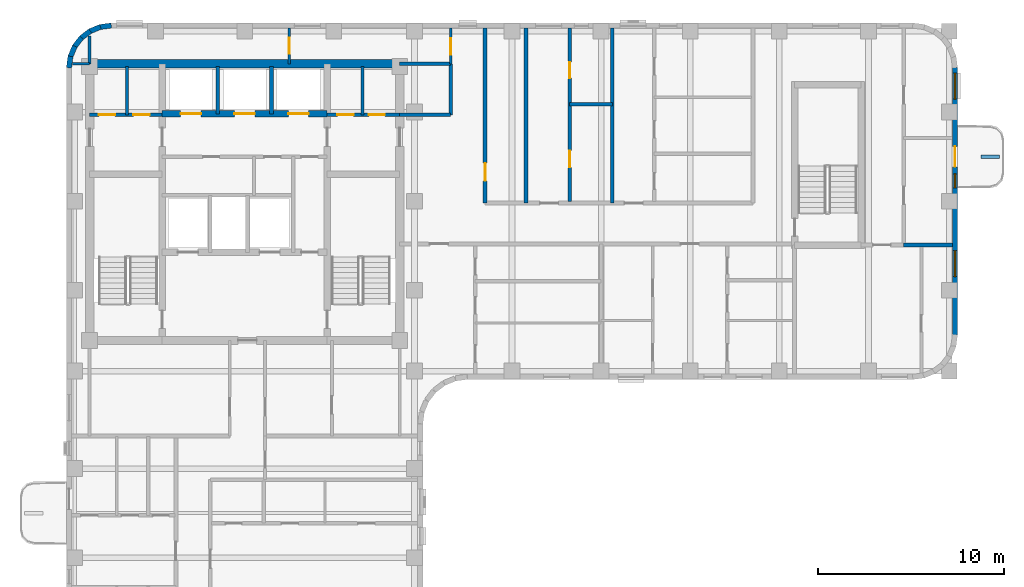
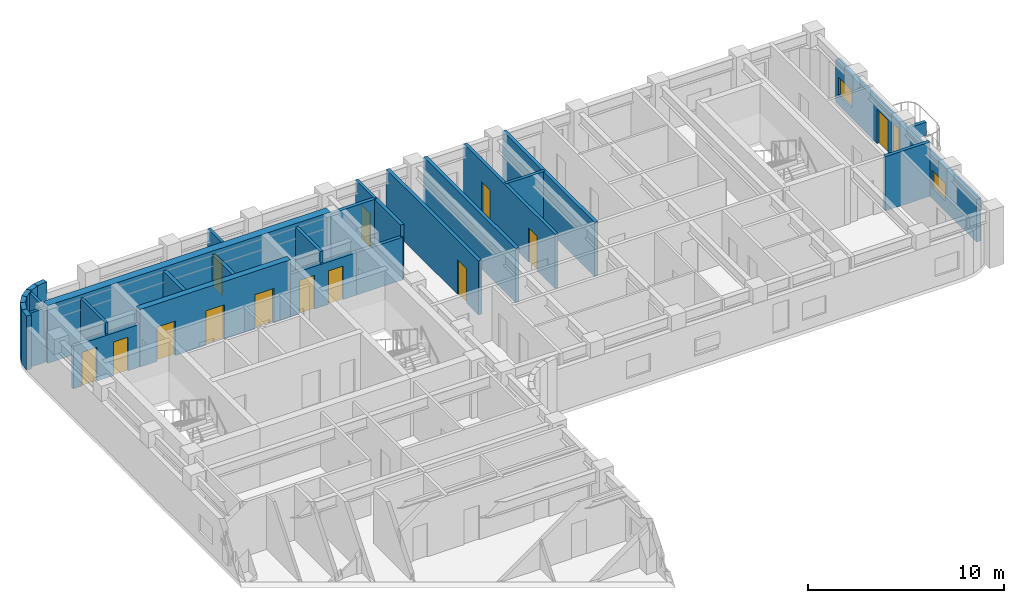
# One storey, part 6 of 10: 29 walls, 13 doors, 3 windows, 16 openings.
"""IFC4 building model written with IfcOpenShell, lengths in metres."""

from ifc_helpers import new_model, si_unit, direction, frame, frame_2d, origin, place, context, subcontext, project, spatial, rectangle, extrude, material, layer, layer_set, type_object, element, fill, save


model = new_model("IFC4")

# Units and contexts
model_context = context("Model", 3, precision=1e-05, world=origin(), true_north=direction((0.0, 1.0)))
body_context = subcontext(model_context, "Body", "Model", "MODEL_VIEW")
ifc_project = project(units=[si_unit("LENGTHUNIT", "METRE"), si_unit("AREAUNIT", "SQUARE_METRE"), si_unit("VOLUMEUNIT", "CUBIC_METRE"), si_unit("PLANEANGLEUNIT", "RADIAN"), si_unit("MASSUNIT", "GRAM", prefix="KILO")], contexts=[model_context])

# Site, building, storey
site_placement = place(None, origin())
site = spatial("IfcSite", under=ifc_project, at=site_placement, CompositionType="ELEMENT")
building_placement = place(site_placement, origin())
building = spatial("IfcBuilding", under=site, at=building_placement, Name="Orvandelia Arch Residences", CompositionType="ELEMENT")
storey_placement = place(building_placement, frame((0.0, 0.0, 218.199951171875)))
storey = spatial("IfcBuildingStorey", under=building, at=storey_placement, Name="L57", CompositionType="ELEMENT", Elevation=218.199951171875)

# Wall, openings, doors
ifc_material_1 = material(Name="Concrete C50/60", Category="concrete")
ifc_layer_1 = layer(ifc_material_1, 0.35009765625, Name="Concrete C50/60", Category="concrete")
ifc_layer_set_1 = layer_set([ifc_layer_1], Name="Concrete C50/60")
wall_type_1 = type_object("IfcWallType", Name="WL-CORE-350", PredefinedType="SHEAR", material=ifc_layer_set_1)
wall_1_placement = place(storey_placement, frame((9.9599609375, 43.10009765625, 0.0), z_axis=(0.0, 0.0, 1.0), x_axis=(1.0, 0.0, 0.0)))
wall_1 = element("IfcWall", 1, at=wall_1_placement, inside=storey, type_object=wall_type_1, Name="Core Shear Wall L57-HZ4", PredefinedType="SHEAR", context=body_context, shape_type="SweptSolid", body=[
    extrude(rectangle(XDim=8.880126953125, YDim=0.35009765625, at=frame_2d((4.43994140625, 0.0))), origin(), (0.0, 0.0, 1.0), 3.60009765625),
])
opening_1_placement = place(wall_1_placement, frame((0.989990234375, 0.0, 0.0)))
opening_1 = element("IfcOpeningElement", 2, at=opening_1_placement, cuts=wall_1, Name="Opening LD", PredefinedType="OPENING", context=body_context, shape_type="SweptSolid", body=[
    extrude(rectangle(XDim=1.10009765625, YDim=2.14990234375, at=frame_2d((0.550048828125, 1.074951171875))), frame((0.0, 0.18505859375, 0.0), z_axis=(0.0, -1.0, 0.0), x_axis=(1.0, 0.0, 0.0)), (0.0, 0.0, 1.0), 0.3701171875),
])
opening_2_placement = place(wall_1_placement, frame((3.889892578125, 0.0, 0.0)))
opening_2 = element("IfcOpeningElement", 3, at=opening_2_placement, cuts=wall_1, Name="Opening LD", PredefinedType="OPENING", context=body_context, shape_type="SweptSolid", body=[
    extrude(rectangle(XDim=1.10009765625, YDim=2.14990234375, at=frame_2d((0.550048828125, 1.074951171875))), frame((0.0, 0.18505859375, 0.0), z_axis=(0.0, -1.0, 0.0), x_axis=(1.0, 0.0, 0.0)), (0.0, 0.0, 1.0), 0.3701171875),
])
opening_3_placement = place(wall_1_placement, frame((6.7900390625, 0.0, 0.0)))
opening_3 = element("IfcOpeningElement", 4, at=opening_3_placement, cuts=wall_1, Name="Opening LD", PredefinedType="OPENING", context=body_context, shape_type="SweptSolid", body=[
    extrude(rectangle(XDim=1.10009765625, YDim=2.14990234375, at=frame_2d((0.550048828125, 1.074951171875))), frame((0.0, 0.18505859375, 0.0), z_axis=(0.0, -1.0, 0.0), x_axis=(1.0, 0.0, 0.0)), (0.0, 0.0, 1.0), 0.3701171875),
])
ifc_material_2 = material(Name="Brushed Stainless Steel Sliding Lift Door", Category="steel")
door_type_1 = type_object("IfcDoorType", Name="DR-LIFT-1100", OperationType="NOTDEFINED", PredefinedType="DOOR", material=ifc_material_2)
door_1_placement = place(opening_1_placement, origin())
door_1 = element("IfcDoor", 5, at=door_1_placement, inside=storey, type_object=door_type_1, Name="Lift Landing Door LD-PH1-L57", OperationType="SLIDING_TO_LEFT", OverallHeight=2.14990234375, OverallWidth=1.10009765625, PredefinedType="DOOR", context=body_context, shape_type="SweptSolid", body=[
    extrude(rectangle(XDim=1.10009765625, YDim=2.14990234375, at=frame_2d((0.550048828125, 1.074951171875))), frame((0.0, 0.02490234375, 0.0), z_axis=(0.0, -1.0, 0.0), x_axis=(1.0, 0.0, 0.0)), (0.0, 0.0, 1.0), 0.050048828125),
])
fill(opening_1, door_1)
door_2_placement = place(opening_2_placement, origin())
door_2 = element("IfcDoor", 6, at=door_2_placement, inside=storey, type_object=door_type_1, Name="Lift Landing Door LD-PH2-L57", OperationType="SLIDING_TO_RIGHT", OverallHeight=2.14990234375, OverallWidth=1.10009765625, PredefinedType="DOOR", context=body_context, shape_type="SweptSolid", body=[
    extrude(rectangle(XDim=1.10009765625, YDim=2.14990234375, at=frame_2d((0.550048828125, 1.074951171875))), frame((0.0, 0.02490234375, 0.0), z_axis=(0.0, -1.0, 0.0), x_axis=(1.0, 0.0, 0.0)), (0.0, 0.0, 1.0), 0.050048828125),
])
fill(opening_2, door_2)
door_3_placement = place(opening_3_placement, origin())
door_3 = element("IfcDoor", 7, at=door_3_placement, inside=storey, type_object=door_type_1, Name="Lift Landing Door LD-PH3-L57", OperationType="SLIDING_TO_LEFT", OverallHeight=2.14990234375, OverallWidth=1.10009765625, PredefinedType="DOOR", context=body_context, shape_type="SweptSolid", body=[
    extrude(rectangle(XDim=1.10009765625, YDim=2.14990234375, at=frame_2d((0.550048828125, 1.074951171875))), frame((0.0, 0.02490234375, 0.0), z_axis=(0.0, -1.0, 0.0), x_axis=(1.0, 0.0, 0.0)), (0.0, 0.0, 1.0), 0.050048828125),
])
fill(opening_3, door_3)

# Walls
ifc_layer_2 = layer(ifc_material_1, 0.449951171875, Name="Concrete C50/60", Category="concrete")
ifc_layer_set_2 = layer_set([ifc_layer_2], Name="Concrete C50/60")
wall_type_2 = type_object("IfcWallType", Name="WL-CORE-450", PredefinedType="SHEAR", material=ifc_layer_set_2)
wall_2_placement = place(storey_placement, frame((6.050048828125, 45.800048828125, 0.0), z_axis=(0.0, 0.0, 1.0), x_axis=(1.0, 0.0, 0.0)))
element("IfcWall", 8, at=wall_2_placement, inside=storey, type_object=wall_type_2, Name="Core Shear Wall L57-N", PredefinedType="SHEAR", context=body_context, shape_type="SweptSolid", body=[
    extrude(rectangle(XDim=16.699951171875, YDim=0.449951171875, at=frame_2d((8.35009765625, 0.0))), origin(), (0.0, 0.0, 1.0), 3.60009765625),
])
ifc_material_3 = material(Name="Fire-Rated Corridor Partition")
ifc_layer_3 = layer(ifc_material_3, 0.199951171875, Name="Fire-Rated Corridor Partition")
ifc_layer_set_3 = layer_set([ifc_layer_3], Name="Fire-Rated Corridor Partition")
wall_type_3 = type_object("IfcWallType", Name="WL-CORR-200", PredefinedType="PARTITIONING", material=ifc_layer_set_3)
wall_3_placement = place(storey_placement, frame((22.75, 45.800048828125, 0.0), z_axis=(0.0, 0.0, 1.0), x_axis=(1.0, 0.0, 0.0)))
element("IfcWall", 9, at=wall_3_placement, inside=storey, type_object=wall_type_3, Name="Interior Partition Wall WL-L57-NCE-S", PredefinedType="PARTITIONING", context=body_context, shape_type="SweptSolid", body=[
    extrude(rectangle(XDim=2.75, YDim=0.199951171875, at=frame_2d((1.375, 0.0))), origin(), (0.0, 0.0, 1.0), 3.380126953125),
])

# Wall, opening, door
wall_4_placement = place(storey_placement, frame((27.35009765625, 38.300048828125, 0.0), z_axis=(0.0, 0.0, 1.0), x_axis=(0.0, 1.0, 0.0)))
wall_4 = element("IfcWall", 10, at=wall_4_placement, inside=storey, type_object=wall_type_3, Name="Interior Partition Wall WL-L57-EM-NCE", PredefinedType="PARTITIONING", context=body_context, shape_type="SweptSolid", body=[
    extrude(rectangle(XDim=9.419921875, YDim=0.199951171875, at=frame_2d((4.7099609375, 0.0))), origin(), (0.0, 0.0, 1.0), 3.380126953125),
])
opening_4_placement = place(wall_4_placement, frame((1.199951171875, 0.0, 0.0)))
opening_4 = element("IfcOpeningElement", 11, at=opening_4_placement, cuts=wall_4, Name="Opening D2", PredefinedType="OPENING", context=body_context, shape_type="SweptSolid", body=[
    extrude(rectangle(XDim=0.949951171875, YDim=2.14990234375, at=frame_2d((0.47509765625, 1.074951171875))), frame((0.0, 0.10986328125, 0.0), z_axis=(0.0, -1.0, 0.0), x_axis=(1.0, 0.0, 0.0)), (0.0, 0.0, 1.0), 0.219970703125),
])
ifc_material_4 = material(Name="Solid-Core Timber Interior Fire Door", Category="wood")
door_type_2 = type_object("IfcDoorType", Name="DR-APT-950", OperationType="NOTDEFINED", PredefinedType="DOOR", material=ifc_material_4)
door_4_placement = place(opening_4_placement, origin())
door_4 = element("IfcDoor", 12, at=door_4_placement, inside=storey, type_object=door_type_2, Name="DR-L57-LDY", OperationType="SINGLE_SWING_RIGHT", OverallHeight=2.14990234375, OverallWidth=0.949951171875, PredefinedType="DOOR", context=body_context, shape_type="SweptSolid", body=[
    extrude(rectangle(XDim=0.949951171875, YDim=2.14990234375, at=frame_2d((0.47509765625, 1.074951171875))), frame((0.0, 0.02490234375, 0.0), z_axis=(0.0, -1.0, 0.0), x_axis=(1.0, 0.0, 0.0)), (0.0, 0.0, 1.0), 0.050048828125),
])
fill(opening_4, door_4)

# Walls
wall_5_placement = place(storey_placement, frame((22.75, 43.050048828125, 0.0), z_axis=(0.0, 0.0, 1.0), x_axis=(1.0, 0.0, 0.0)))
element("IfcWall", 13, at=wall_5_placement, inside=storey, type_object=wall_type_3, Name="Interior Partition Wall WL-L57-EM-LS", PredefinedType="PARTITIONING", context=body_context, shape_type="SweptSolid", body=[
    extrude(rectangle(XDim=2.75, YDim=0.199951171875, at=frame_2d((1.375, 0.0))), origin(), (0.0, 0.0, 1.0), 2.66015625),
])
wall_6_placement = place(storey_placement, frame((25.5, 43.050048828125, 0.0), z_axis=(0.0, 0.0, 1.0), x_axis=(0.0, 1.0, 0.0)))
element("IfcWall", 14, at=wall_6_placement, inside=storey, type_object=wall_type_3, Name="Interior Partition Wall WL-L57-EM-LW2", PredefinedType="PARTITIONING", context=body_context, shape_type="SweptSolid", body=[
    extrude(rectangle(XDim=2.75, YDim=0.199951171875, at=frame_2d((1.375, 0.0))), origin(), (0.0, 0.0, 1.0), 3.380126953125),
])
ifc_material_5 = material(Name="Concrete C40/50", Category="concrete")
ifc_layer_4 = layer(ifc_material_5, 0.199951171875, Name="Concrete C40/50", Category="concrete")
ifc_layer_set_4 = layer_set([ifc_layer_4], Name="Concrete C40/50")
wall_type_4 = type_object("IfcWallType", Name="WL-DEM-200", PredefinedType="SOLIDWALL", material=ifc_layer_set_4)
for number, where, z_axis, x_axis, name in (
    (15, (29.550048828125, 38.300048828125, 0.0), (0.0, 0.0, 1.0), (0.0, 1.0, 0.0), "Interior Partition Wall WL-L57-EM-LDE"),
    (16, (34.199951171875, 38.300048828125, 0.0), (0.0, 0.0, 1.0), (0.0, 1.0, 0.0), "Interior Partition Wall WL-L57-DEM-EMN-342"),
):
    element("IfcWall", number, at=place(storey_placement, frame(where, z_axis=z_axis, x_axis=x_axis)), inside=storey, type_object=wall_type_4, Name=name, PredefinedType="SOLIDWALL", context=body_context, shape_type="SweptSolid", body=[
        extrude(rectangle(XDim=9.419921875, YDim=0.199951171875, at=frame_2d((4.7099609375, 0.0))), origin(), (0.0, 0.0, 1.0), 3.380126953125),
    ])
wall_7_placement = place(storey_placement, frame((49.89990234375, 36.0400390625, 0.0), z_axis=(0.0, 0.0, 1.0), x_axis=(1.0, 0.0, 0.0)))
element("IfcWall", 17, at=wall_7_placement, inside=storey, type_object=wall_type_4, Name="Interior Partition Wall WL-L57-EMS3-N2", PredefinedType="SOLIDWALL", context=body_context, shape_type="SweptSolid", body=[
    extrude(rectangle(XDim=2.6201171875, YDim=0.199951171875, at=frame_2d((1.31005859375, 0.0))), origin(), (0.0, 0.0, 1.0), 3.380126953125),
])
ifc_material_6 = material(Name="Precast concrete C40/50", Category="concrete")
ifc_layer_5 = layer(ifc_material_6, 0.280029296875, Name="Precast concrete C40/50", Category="concrete")
ifc_layer_set_5 = layer_set([ifc_layer_5], Name="Precast concrete C40/50")
wall_type_5 = type_object("IfcWallType", Name="WL-EXT-STONE-280", PredefinedType="STANDARD", material=ifc_layer_set_5)
for number, where, z_axis, x_axis, name in (
    (18, (4.938720703125, 45.581787109375, 0.0), (0.0, 0.0, 1.0), (0.130555323746, 0.9914410257, 0.0), "Coral-Limestone Precast Facade Wall L57-001"),
    (19, (5.010986328125, 46.16748046875, 0.0), (0.0, 0.0, 1.0), (0.382650053678, 0.92389335771, 0.0), "Coral-Limestone Precast Facade Wall L57-002"),
    (20, (5.232666015625, 46.71484375, 0.0), (0.0, 0.0, 1.0), (0.608693302629, 0.793405610854, 0.0), "Coral-Limestone Precast Facade Wall L57-003"),
    (21, (5.588134765625, 47.18603515625, 0.0), (0.0, 0.0, 1.0), (0.793405610854, 0.608693302629, 0.0), "Coral-Limestone Precast Facade Wall L57-004"),
):
    element("IfcWall", number, at=place(storey_placement, frame(where, z_axis=z_axis, x_axis=x_axis)), inside=storey, type_object=wall_type_5, Name=name, PredefinedType="STANDARD", context=body_context, shape_type="SweptSolid", body=[
        extrude(rectangle(XDim=0.62646484375, YDim=0.280029296875, at=frame_2d((0.313232421875, 0.0))), origin(), (0.0, 0.0, 1.0), 3.380126953125),
    ])
wall_8_placement = place(storey_placement, frame((6.0537109375, 47.54931640625, 0.0), z_axis=(0.0, 0.0, 1.0), x_axis=(0.923974080304, 0.382455093999, 0.0)))
element("IfcWall", 22, at=wall_8_placement, inside=storey, type_object=wall_type_5, Name="Coral-Limestone Precast Facade Wall L57-005", PredefinedType="STANDARD", context=body_context, shape_type="SweptSolid", body=[
    extrude(rectangle(XDim=0.626220703125, YDim=0.280029296875, at=frame_2d((0.31298828125, 0.0))), origin(), (0.0, 0.0, 1.0), 3.380126953125),
])
wall_9_placement = place(storey_placement, frame((6.59716796875, 47.779296875, 0.0), z_axis=(0.0, 0.0, 1.0), x_axis=(0.9914410257, 0.130555323746, 0.0)))
element("IfcWall", 23, at=wall_9_placement, inside=storey, type_object=wall_type_5, Name="Coral-Limestone Precast Facade Wall L57-006", PredefinedType="STANDARD", context=body_context, shape_type="SweptSolid", body=[
    extrude(rectangle(XDim=0.62646484375, YDim=0.280029296875, at=frame_2d((0.313232421875, 0.0))), origin(), (0.0, 0.0, 1.0), 3.380126953125),
])

# Wall, openings, door, windows
wall_10_placement = place(storey_placement, frame((52.659912109375, 45.60009765625, 0.0), z_axis=(0.0, 0.0, 1.0), x_axis=(0.0, -1.0, 0.0)))
wall_10 = element("IfcWall", 24, at=wall_10_placement, inside=storey, type_object=wall_type_5, Name="Coral-Limestone Precast Facade Wall L57-014", PredefinedType="STANDARD", context=body_context, shape_type="SweptSolid", body=[
    extrude(rectangle(XDim=14.400146484375, YDim=0.280029296875, at=frame_2d((7.2001953125, 0.0))), origin(), (0.0, 0.0, 1.0), 2.66015625),
])
opening_5_placement = place(wall_10_placement, frame((4.25, 0.0, 0.0)))
opening_5 = element("IfcOpeningElement", 25, at=opening_5_placement, cuts=wall_10, Name="Opening BD1", PredefinedType="OPENING", context=body_context, shape_type="SweptSolid", body=[
    extrude(rectangle(XDim=1.10009765625, YDim=2.14990234375, at=frame_2d((0.550048828125, 1.074951171875))), frame((0.0, 0.14990234375, 0.0), z_axis=(0.0, -1.0, 0.0), x_axis=(1.0, 0.0, 0.0)), (0.0, 0.0, 1.0), 0.300048828125),
])
opening_6_placement = place(wall_10_placement, frame((9.862548828125, 0.0, 0.64990234375)))
opening_6 = element("IfcOpeningElement", 26, at=opening_6_placement, cuts=wall_10, Name="Opening W10", PredefinedType="OPENING", context=body_context, shape_type="SweptSolid", body=[
    extrude(rectangle(XDim=1.39990234375, YDim=1.10009765625, at=frame_2d((0.699951171875, 0.550048828125))), frame((0.0, 0.14990234375, 0.0), z_axis=(0.0, -1.0, 0.0), x_axis=(1.0, 0.0, 0.0)), (0.0, 0.0, 1.0), 0.300048828125),
])
opening_7_placement = place(wall_10_placement, frame((5.7275390625, 0.0, 0.449951171875)))
opening_7 = element("IfcOpeningElement", 27, at=opening_7_placement, cuts=wall_10, Name="Opening W11", PredefinedType="OPENING", context=body_context, shape_type="SweptSolid", body=[
    extrude(rectangle(XDim=0.75, YDim=1.800048828125, at=frame_2d((0.375, 0.89990234375))), frame((0.0, 0.14990234375, 0.0), z_axis=(0.0, -1.0, 0.0), x_axis=(1.0, 0.0, 0.0)), (0.0, 0.0, 1.0), 0.300048828125),
])
opening_8_placement = place(wall_10_placement, frame((0.3076171875, 0.0, 0.64990234375)))
opening_8 = element("IfcOpeningElement", 28, at=opening_8_placement, cuts=wall_10, Name="Opening W10", PredefinedType="OPENING", context=body_context, shape_type="SweptSolid", body=[
    extrude(rectangle(XDim=1.39990234375, YDim=1.10009765625, at=frame_2d((0.699951171875, 0.550048828125))), frame((0.0, 0.14990234375, 0.0), z_axis=(0.0, -1.0, 0.0), x_axis=(1.0, 0.0, 0.0)), (0.0, 0.0, 1.0), 0.300048828125),
])
ifc_material_7 = material(Name="Thermally Broken Aluminium Glazed Door", Category="aluminium")
door_type_3 = type_object("IfcDoorType", Name="DR-BAL-GLAZ-1100", OperationType="NOTDEFINED", PredefinedType="DOOR", material=ifc_material_7)
door_5_placement = place(opening_5_placement, origin())
door_5 = element("IfcDoor", 29, at=door_5_placement, inside=storey, type_object=door_type_3, Name="Tree Balcony Glazed Door BAL-L57-E1", OperationType="SINGLE_SWING_LEFT", OverallHeight=2.14990234375, OverallWidth=1.10009765625, PredefinedType="DOOR", context=body_context, shape_type="SweptSolid", body=[
    extrude(rectangle(XDim=1.10009765625, YDim=2.14990234375, at=frame_2d((0.550048828125, 1.074951171875))), frame((0.0, 0.02490234375, 0.0), z_axis=(0.0, -1.0, 0.0), x_axis=(1.0, 0.0, 0.0)), (0.0, 0.0, 1.0), 0.050048828125),
])
fill(opening_5, door_5)
ifc_material_8 = material(Name="Tempered Low-E Insulated Glazing", Category="glass")
window_type_1 = type_object("IfcWindowType", Name="WIN-BED-0750x1800", PartitioningType="SINGLE_PANEL", PredefinedType="WINDOW", material=ifc_material_8)
window_1_placement = place(opening_7_placement, origin())
window_1 = element("IfcWindow", 30, at=window_1_placement, inside=storey, type_object=window_type_1, Name="Recessed Punched Window L57-011", OverallHeight=1.800048828125, OverallWidth=0.75, PartitioningType="SINGLE_PANEL", PredefinedType="WINDOW", context=body_context, shape_type="SweptSolid", body=[
    extrude(rectangle(XDim=0.75, YDim=1.800048828125, at=frame_2d((0.375, 0.89990234375))), frame((0.0, 0.030029296875, 0.0), z_axis=(0.0, -1.0, 0.0), x_axis=(1.0, 0.0, 0.0)), (0.0, 0.0, 1.0), 0.06005859375),
])
fill(opening_7, window_1)
window_type_2 = type_object("IfcWindowType", Name="WIN-CLR-1400x1100", PartitioningType="SINGLE_PANEL", PredefinedType="WINDOW", material=ifc_material_8)
window_2_placement = place(opening_6_placement, origin())
window_2 = element("IfcWindow", 31, at=window_2_placement, inside=storey, type_object=window_type_2, Name="Recessed Punched Window L57-010", OverallHeight=1.10009765625, OverallWidth=1.39990234375, PartitioningType="SINGLE_PANEL", PredefinedType="WINDOW", context=body_context, shape_type="SweptSolid", body=[
    extrude(rectangle(XDim=1.39990234375, YDim=1.10009765625, at=frame_2d((0.699951171875, 0.550048828125))), frame((0.0, 0.030029296875, 0.0), z_axis=(0.0, -1.0, 0.0), x_axis=(1.0, 0.0, 0.0)), (0.0, 0.0, 1.0), 0.06005859375),
])
fill(opening_6, window_2)
window_3_placement = place(opening_8_placement, origin())
window_3 = element("IfcWindow", 32, at=window_3_placement, inside=storey, type_object=window_type_2, Name="Recessed Punched Window L57-012", OverallHeight=1.10009765625, OverallWidth=1.39990234375, PartitioningType="SINGLE_PANEL", PredefinedType="WINDOW", context=body_context, shape_type="SweptSolid", body=[
    extrude(rectangle(XDim=1.39990234375, YDim=1.10009765625, at=frame_2d((0.699951171875, 0.550048828125))), frame((0.0, 0.030029296875, 0.0), z_axis=(0.0, -1.0, 0.0), x_axis=(1.0, 0.0, 0.0)), (0.0, 0.0, 1.0), 0.06005859375),
])
fill(opening_8, window_3)

# Walls
ifc_material_9 = material(Name="Acoustic Gypsum Stud Partition")
ifc_layer_6 = layer(ifc_material_9, 0.14990234375, Name="Acoustic Gypsum Stud Partition")
ifc_layer_set_6 = layer_set([ifc_layer_6], Name="Acoustic Gypsum Stud Partition")
wall_type_6 = type_object("IfcWallType", Name="WL-PART-150", PredefinedType="PARTITIONING", material=ifc_layer_set_6)
wall_11_placement = place(storey_placement, frame((8.06005859375, 43.050048828125, 0.0), z_axis=(0.0, 0.0, 1.0), x_axis=(0.0, 1.0, 0.0)))
element("IfcWall", 33, at=wall_11_placement, inside=storey, type_object=wall_type_6, Name="Interior Partition Wall WL-L57-CRELC-M", PredefinedType="PARTITIONING", context=body_context, shape_type="SweptSolid", body=[
    extrude(rectangle(XDim=2.599853515625, YDim=0.14990234375, at=frame_2d((1.2998046875, 0.0))), origin(), (0.0, 0.0, 1.0), 3.380126953125),
])
wall_12_placement = place(storey_placement, frame((5.1201171875, 45.800048828125, 0.0), z_axis=(0.0, 0.0, 1.0), x_axis=(1.0, 0.0, 0.0)))
element("IfcWall", 34, at=wall_12_placement, inside=storey, type_object=wall_type_6, Name="Interior Partition Wall WL-L57-WF-N", PredefinedType="PARTITIONING", context=body_context, shape_type="SweptSolid", body=[
    extrude(rectangle(XDim=0.929931640625, YDim=0.14990234375, at=frame_2d((0.46484375, 0.0))), origin(), (0.0, 0.0, 1.0), 3.380126953125),
])

# Wall, opening, door
wall_13_placement = place(storey_placement, frame((25.5, 45.800048828125, 0.0), z_axis=(0.0, 0.0, 1.0), x_axis=(0.0, 1.0, 0.0)))
wall_13 = element("IfcWall", 35, at=wall_13_placement, inside=storey, type_object=wall_type_6, Name="Interior Partition Wall WL-L57-NCE-W", PredefinedType="PARTITIONING", context=body_context, shape_type="SweptSolid", body=[
    extrude(rectangle(XDim=1.919921875, YDim=0.14990234375, at=frame_2d((0.9599609375, 0.0))), origin(), (0.0, 0.0, 1.0), 3.380126953125),
])
opening_9_placement = place(wall_13_placement, frame((0.5, 0.0, 0.0)))
opening_9 = element("IfcOpeningElement", 36, at=opening_9_placement, cuts=wall_13, Name="Opening D5", PredefinedType="OPENING", context=body_context, shape_type="SweptSolid", body=[
    extrude(rectangle(XDim=0.8798828125, YDim=2.10009765625, at=frame_2d((0.43994140625, 1.050048828125))), frame((0.0, 0.0849609375, 0.0), z_axis=(0.0, -1.0, 0.0), x_axis=(1.0, 0.0, 0.0)), (0.0, 0.0, 1.0), 0.169921875),
])
ifc_material_10 = material(Name="Painted Galvanised Steel Service Door", Category="steel")
door_type_4 = type_object("IfcDoorType", Name="DR-SRV-880", OperationType="NOTDEFINED", PredefinedType="DOOR", material=ifc_material_10)
door_6_placement = place(opening_9_placement, origin())
door_6 = element("IfcDoor", 37, at=door_6_placement, inside=storey, type_object=door_type_4, Name="DR-L57-NCS2", OperationType="SINGLE_SWING_LEFT", OverallHeight=2.10009765625, OverallWidth=0.8798828125, PredefinedType="DOOR", context=body_context, shape_type="SweptSolid", body=[
    extrude(rectangle(XDim=0.8798828125, YDim=2.10009765625, at=frame_2d((0.43994140625, 1.050048828125))), frame((0.0, 0.02490234375, 0.0), z_axis=(0.0, -1.0, 0.0), x_axis=(1.0, 0.0, 0.0)), (0.0, 0.0, 1.0), 0.050048828125),
])
fill(opening_9, door_6)

# Wall
wall_14_placement = place(storey_placement, frame((6.050048828125, 45.800048828125, 0.0), z_axis=(0.0, 0.0, 1.0), x_axis=(0.0, 1.0, 0.0)))
element("IfcWall", 38, at=wall_14_placement, inside=storey, type_object=wall_type_6, Name="Interior Partition Wall WL-L57-NC-W6", PredefinedType="PARTITIONING", context=body_context, shape_type="SweptSolid", body=[
    extrude(rectangle(XDim=1.5, YDim=0.14990234375, at=frame_2d((0.75, 0.0))), origin(), (0.0, 0.0, 1.0), 3.380126953125),
])

# Wall, opening, door
wall_15_placement = place(storey_placement, frame((16.800048828125, 45.800048828125, 0.0), z_axis=(0.0, 0.0, 1.0), x_axis=(0.0, 1.0, 0.0)))
wall_15 = element("IfcWall", 39, at=wall_15_placement, inside=storey, type_object=wall_type_6, Name="Interior Partition Wall WL-L57-NC-M", PredefinedType="PARTITIONING", context=body_context, shape_type="SweptSolid", body=[
    extrude(rectangle(XDim=1.919921875, YDim=0.14990234375, at=frame_2d((0.9599609375, 0.0))), origin(), (0.0, 0.0, 1.0), 3.380126953125),
])
opening_10_placement = place(wall_15_placement, frame((0.550048828125, 0.0, 0.0)))
opening_10 = element("IfcOpeningElement", 40, at=opening_10_placement, cuts=wall_15, Name="Opening D4", PredefinedType="OPENING", context=body_context, shape_type="SweptSolid", body=[
    extrude(rectangle(XDim=0.860107421875, YDim=2.10009765625, at=frame_2d((0.43017578125, 1.050048828125))), frame((0.0, 0.0849609375, 0.0), z_axis=(0.0, -1.0, 0.0), x_axis=(1.0, 0.0, 0.0)), (0.0, 0.0, 1.0), 0.169921875),
])
ifc_material_11 = material(Name="Moisture-Sealed Timber Bathroom Door", Category="wood")
door_type_5 = type_object("IfcDoorType", Name="DR-WET-900", OperationType="NOTDEFINED", PredefinedType="DOOR", material=ifc_material_11)
door_7_placement = place(opening_10_placement, origin())
door_7 = element("IfcDoor", 41, at=door_7_placement, inside=storey, type_object=door_type_5, Name="DR-L57-NCS1", OperationType="SINGLE_SWING_LEFT", OverallHeight=2.10009765625, OverallWidth=0.860107421875, PredefinedType="DOOR", context=body_context, shape_type="SweptSolid", body=[
    extrude(rectangle(XDim=0.860107421875, YDim=2.10009765625, at=frame_2d((0.43017578125, 1.050048828125))), frame((0.0, 0.02490234375, 0.0), z_axis=(0.0, -1.0, 0.0), x_axis=(1.0, 0.0, 0.0)), (0.0, 0.0, 1.0), 0.050048828125),
])
fill(opening_10, door_7)

# Wall
ifc_layer_7 = layer(ifc_material_6, 0.199951171875, Name="Precast concrete C40/50", Category="concrete")
ifc_layer_set_7 = layer_set([ifc_layer_7], Name="Precast concrete C40/50")
wall_type_7 = type_object("IfcWallType", Name="WL-PLANTER-200", PredefinedType="MOVABLE", material=ifc_layer_set_7)
wall_16_placement = place(storey_placement, frame((54.050048828125, 40.800048828125, 0.0), z_axis=(0.0, 0.0, 1.0), x_axis=(1.0, 0.0, 0.0)))
element("IfcWall", 42, at=wall_16_placement, inside=storey, type_object=wall_type_7, Name="Balcony Precast Tree Planter BAL-L57-E1", PredefinedType="MOVABLE", context=body_context, shape_type="SweptSolid", body=[
    extrude(rectangle(XDim=1.0, YDim=0.199951171875, at=frame_2d((0.5, 0.0))), origin(), (0.0, 0.0, 1.0), 0.85009765625),
])

# Wall, openings, doors
ifc_material_12 = material(Name="Fire-Rated Shaft Enclosure Wall")
ifc_layer_8 = layer(ifc_material_12, 0.199951171875, Name="Fire-Rated Shaft Enclosure Wall")
ifc_layer_set_8 = layer_set([ifc_layer_8], Name="Fire-Rated Shaft Enclosure Wall")
wall_type_8 = type_object("IfcWallType", Name="WL-SHAFT-200", PredefinedType="POLYGONAL", material=ifc_layer_set_8)
wall_17_placement = place(storey_placement, frame((18.840087890625, 43.050048828125, 0.0), z_axis=(0.0, 0.0, 1.0), x_axis=(1.0, 0.0, 0.0)))
wall_17 = element("IfcWall", 43, at=wall_17_placement, inside=storey, type_object=wall_type_8, Name="Interior Partition Wall WL-L57-HLE-N", PredefinedType="POLYGONAL", context=body_context, shape_type="SweptSolid", body=[
    extrude(rectangle(XDim=3.909912109375, YDim=0.199951171875, at=frame_2d((1.955078125, 0.0))), origin(), (0.0, 0.0, 1.0), 2.66015625),
])
opening_11_placement = place(wall_17_placement, frame((0.550048828125, 0.0, 0.0)))
opening_11 = element("IfcOpeningElement", 44, at=opening_11_placement, cuts=wall_17, Name="Opening D5", PredefinedType="OPENING", context=body_context, shape_type="SweptSolid", body=[
    extrude(rectangle(XDim=0.8798828125, YDim=2.10009765625, at=frame_2d((0.43994140625, 1.050048828125))), frame((0.0, 0.10986328125, 0.0), z_axis=(0.0, -1.0, 0.0), x_axis=(1.0, 0.0, 0.0)), (0.0, 0.0, 1.0), 0.219970703125),
])
opening_12_placement = place(wall_17_placement, frame((2.25, 0.0, 0.0)))
opening_12 = element("IfcOpeningElement", 45, at=opening_12_placement, cuts=wall_17, Name="Opening D4", PredefinedType="OPENING", context=body_context, shape_type="SweptSolid", body=[
    extrude(rectangle(XDim=0.860107421875, YDim=2.10009765625, at=frame_2d((0.43017578125, 1.050048828125))), frame((0.0, 0.10986328125, 0.0), z_axis=(0.0, -1.0, 0.0), x_axis=(1.0, 0.0, 0.0)), (0.0, 0.0, 1.0), 0.219970703125),
])
door_8_placement = place(opening_11_placement, origin())
door_8 = element("IfcDoor", 46, at=door_8_placement, inside=storey, type_object=door_type_4, Name="DR-L57-CSB1", OperationType="SINGLE_SWING_LEFT", OverallHeight=2.10009765625, OverallWidth=0.8798828125, PredefinedType="DOOR", context=body_context, shape_type="SweptSolid", body=[
    extrude(rectangle(XDim=0.8798828125, YDim=2.10009765625, at=frame_2d((0.43994140625, 1.050048828125))), frame((0.0, 0.02490234375, 0.0), z_axis=(0.0, -1.0, 0.0), x_axis=(1.0, 0.0, 0.0)), (0.0, 0.0, 1.0), 0.050048828125),
])
fill(opening_11, door_8)
door_9_placement = place(opening_12_placement, origin())
door_9 = element("IfcDoor", 47, at=door_9_placement, inside=storey, type_object=door_type_5, Name="DR-L57-CSB2", OperationType="SINGLE_SWING_LEFT", OverallHeight=2.10009765625, OverallWidth=0.860107421875, PredefinedType="DOOR", context=body_context, shape_type="SweptSolid", body=[
    extrude(rectangle(XDim=0.860107421875, YDim=2.10009765625, at=frame_2d((0.43017578125, 1.050048828125))), frame((0.0, 0.02490234375, 0.0), z_axis=(0.0, -1.0, 0.0), x_axis=(1.0, 0.0, 0.0)), (0.0, 0.0, 1.0), 0.050048828125),
])
fill(opening_12, door_9)

wall_18_placement = place(storey_placement, frame((6.050048828125, 43.050048828125, 0.0), z_axis=(0.0, 0.0, 1.0), x_axis=(1.0, 0.0, 0.0)))
wall_18 = element("IfcWall", 48, at=wall_18_placement, inside=storey, type_object=wall_type_8, Name="Interior Partition Wall WL-L57-HLW-N", PredefinedType="POLYGONAL", context=body_context, shape_type="SweptSolid", body=[
    extrude(rectangle(XDim=3.909912109375, YDim=0.199951171875, at=frame_2d((1.955078125, 0.0))), origin(), (0.0, 0.0, 1.0), 2.66015625),
])
opening_13_placement = place(wall_18_placement, frame((0.5, 0.0, 0.0)))
opening_13 = element("IfcOpeningElement", 49, at=opening_13_placement, cuts=wall_18, Name="Opening D5", PredefinedType="OPENING", context=body_context, shape_type="SweptSolid", body=[
    extrude(rectangle(XDim=0.8798828125, YDim=2.10009765625, at=frame_2d((0.43994140625, 1.050048828125))), frame((0.0, 0.10986328125, 0.0), z_axis=(0.0, -1.0, 0.0), x_axis=(1.0, 0.0, 0.0)), (0.0, 0.0, 1.0), 0.219970703125),
])
opening_14_placement = place(wall_18_placement, frame((2.35009765625, 0.0, 0.0)))
opening_14 = element("IfcOpeningElement", 50, at=opening_14_placement, cuts=wall_18, Name="Opening D5", PredefinedType="OPENING", context=body_context, shape_type="SweptSolid", body=[
    extrude(rectangle(XDim=0.8798828125, YDim=2.10009765625, at=frame_2d((0.43994140625, 1.050048828125))), frame((0.0, 0.10986328125, 0.0), z_axis=(0.0, -1.0, 0.0), x_axis=(1.0, 0.0, 0.0)), (0.0, 0.0, 1.0), 0.219970703125),
])
door_10_placement = place(opening_13_placement, origin())
door_10 = element("IfcDoor", 51, at=door_10_placement, inside=storey, type_object=door_type_4, Name="DR-L57-CRELC1", OperationType="SINGLE_SWING_LEFT", OverallHeight=2.10009765625, OverallWidth=0.8798828125, PredefinedType="DOOR", context=body_context, shape_type="SweptSolid", body=[
    extrude(rectangle(XDim=0.8798828125, YDim=2.10009765625, at=frame_2d((0.43994140625, 1.050048828125))), frame((0.0, 0.02490234375, 0.0), z_axis=(0.0, -1.0, 0.0), x_axis=(1.0, 0.0, 0.0)), (0.0, 0.0, 1.0), 0.050048828125),
])
fill(opening_13, door_10)
door_11_placement = place(opening_14_placement, origin())
door_11 = element("IfcDoor", 52, at=door_11_placement, inside=storey, type_object=door_type_4, Name="DR-L57-CRELC2", OperationType="SINGLE_SWING_RIGHT", OverallHeight=2.10009765625, OverallWidth=0.8798828125, PredefinedType="DOOR", context=body_context, shape_type="SweptSolid", body=[
    extrude(rectangle(XDim=0.8798828125, YDim=2.10009765625, at=frame_2d((0.43994140625, 1.050048828125))), frame((0.0, 0.02490234375, 0.0), z_axis=(0.0, -1.0, 0.0), x_axis=(1.0, 0.0, 0.0)), (0.0, 0.0, 1.0), 0.050048828125),
])
fill(opening_14, door_11)

# Walls
for number, where, z_axis, x_axis, name in (
    (53, (12.949951171875, 43.10009765625, 0.0), (0.0, 0.0, 1.0), (0.0, 1.0, 0.0), "Interior Partition Wall WL-L57-PHD1"),
    (54, (15.85009765625, 43.10009765625, 0.0), (0.0, 0.0, 1.0), (0.0, 1.0, 0.0), "Interior Partition Wall WL-L57-PHD2"),
):
    element("IfcWall", number, at=place(storey_placement, frame(where, z_axis=z_axis, x_axis=x_axis)), inside=storey, type_object=wall_type_8, Name=name, PredefinedType="POLYGONAL", context=body_context, shape_type="SweptSolid", body=[
        extrude(rectangle(XDim=2.5498046875, YDim=0.199951171875, at=frame_2d((1.27490234375, 0.0))), origin(), (0.0, 0.0, 1.0), 3.380126953125),
    ])
ifc_material_13 = material(Name="Moisture-Resistant Plumbing Wall")
ifc_layer_9 = layer(ifc_material_13, 0.179931640625, Name="Moisture-Resistant Plumbing Wall")
ifc_layer_set_9 = layer_set([ifc_layer_9], Name="Moisture-Resistant Plumbing Wall")
wall_type_9 = type_object("IfcWallType", Name="WL-WET-180", PredefinedType="PLUMBINGWALL", material=ifc_layer_set_9)
wall_19_placement = place(storey_placement, frame((20.75, 43.050048828125, 0.0), z_axis=(0.0, 0.0, 1.0), x_axis=(0.0, 1.0, 0.0)))
element("IfcWall", 55, at=wall_19_placement, inside=storey, type_object=wall_type_9, Name="Interior Partition Wall WL-L57-CSB-1", PredefinedType="PLUMBINGWALL", context=body_context, shape_type="SweptSolid", body=[
    extrude(rectangle(XDim=2.599853515625, YDim=0.179931640625, at=frame_2d((1.2998046875, 0.0))), origin(), (0.0, 0.0, 1.0), 3.380126953125),
])

# Wall, openings, doors
wall_20_placement = place(storey_placement, frame((31.909912109375, 38.3798828125, 0.0), z_axis=(0.0, 0.0, 1.0), x_axis=(0.0, 1.0, 0.0)))
wall_20 = element("IfcWall", 56, at=wall_20_placement, inside=storey, type_object=wall_type_9, Name="Interior Partition Wall WL-L57-U07-VT", PredefinedType="PLUMBINGWALL", context=body_context, shape_type="SweptSolid", body=[
    extrude(rectangle(XDim=9.340087890625, YDim=0.179931640625, at=frame_2d((4.669921875, 0.0))), origin(), (0.0, 0.0, 1.0), 3.380126953125),
])
opening_15_placement = place(wall_20_placement, frame((1.84130859375, 0.0, 0.0)))
opening_15 = element("IfcOpeningElement", 57, at=opening_15_placement, cuts=wall_20, Name="Opening D3", PredefinedType="OPENING", context=body_context, shape_type="SweptSolid", body=[
    extrude(rectangle(XDim=0.89990234375, YDim=2.14990234375, at=frame_2d((0.449951171875, 1.074951171875))), frame((0.0, 0.10009765625, 0.0), z_axis=(0.0, -1.0, 0.0), x_axis=(1.0, 0.0, 0.0)), (0.0, 0.0, 1.0), 0.199951171875),
])
opening_16_placement = place(wall_20_placement, frame((6.64501953125, 0.0, 0.0)))
opening_16 = element("IfcOpeningElement", 58, at=opening_16_placement, cuts=wall_20, Name="Opening D4", PredefinedType="OPENING", context=body_context, shape_type="SweptSolid", body=[
    extrude(rectangle(XDim=0.860107421875, YDim=2.10009765625, at=frame_2d((0.43017578125, 1.050048828125))), frame((0.0, 0.10009765625, 0.0), z_axis=(0.0, -1.0, 0.0), x_axis=(1.0, 0.0, 0.0)), (0.0, 0.0, 1.0), 0.199951171875),
])
ifc_material_14 = material(Name="Engineered Timber Flush Door", Category="wood")
door_type_6 = type_object("IfcDoorType", Name="DR-INT-900", OperationType="NOTDEFINED", PredefinedType="DOOR", material=ifc_material_14)
door_12_placement = place(opening_15_placement, origin())
door_12 = element("IfcDoor", 59, at=door_12_placement, inside=storey, type_object=door_type_6, Name="DR-L57-U07-KIT", OperationType="SINGLE_SWING_LEFT", OverallHeight=2.14990234375, OverallWidth=0.89990234375, PredefinedType="DOOR", context=body_context, shape_type="SweptSolid", body=[
    extrude(rectangle(XDim=0.89990234375, YDim=2.14990234375, at=frame_2d((0.449951171875, 1.074951171875))), frame((0.0, 0.02490234375, 0.0), z_axis=(0.0, -1.0, 0.0), x_axis=(1.0, 0.0, 0.0)), (0.0, 0.0, 1.0), 0.050048828125),
])
fill(opening_15, door_12)
door_13_placement = place(opening_16_placement, origin())
door_13 = element("IfcDoor", 60, at=door_13_placement, inside=storey, type_object=door_type_5, Name="DR-L57-U07-BTH", OperationType="SINGLE_SWING_RIGHT", OverallHeight=2.10009765625, OverallWidth=0.860107421875, PredefinedType="DOOR", context=body_context, shape_type="SweptSolid", body=[
    extrude(rectangle(XDim=0.860107421875, YDim=2.10009765625, at=frame_2d((0.43017578125, 1.050048828125))), frame((0.0, 0.02490234375, 0.0), z_axis=(0.0, -1.0, 0.0), x_axis=(1.0, 0.0, 0.0)), (0.0, 0.0, 1.0), 0.050048828125),
])
fill(opening_16, door_13)

# Wall
wall_21_placement = place(storey_placement, frame((31.909912109375, 43.6220703125, 0.0), z_axis=(0.0, 0.0, 1.0), x_axis=(1.0, 0.0, 0.0)))
element("IfcWall", 61, at=wall_21_placement, inside=storey, type_object=wall_type_9, Name="Interior Partition Wall WL-L57-U07-H1", PredefinedType="PLUMBINGWALL", context=body_context, shape_type="SweptSolid", body=[
    extrude(rectangle(XDim=2.31005859375, YDim=0.179931640625, at=frame_2d((1.155029296875, 0.0))), origin(), (0.0, 0.0, 1.0), 3.380126953125),
])

save(model, "model.ifc")
